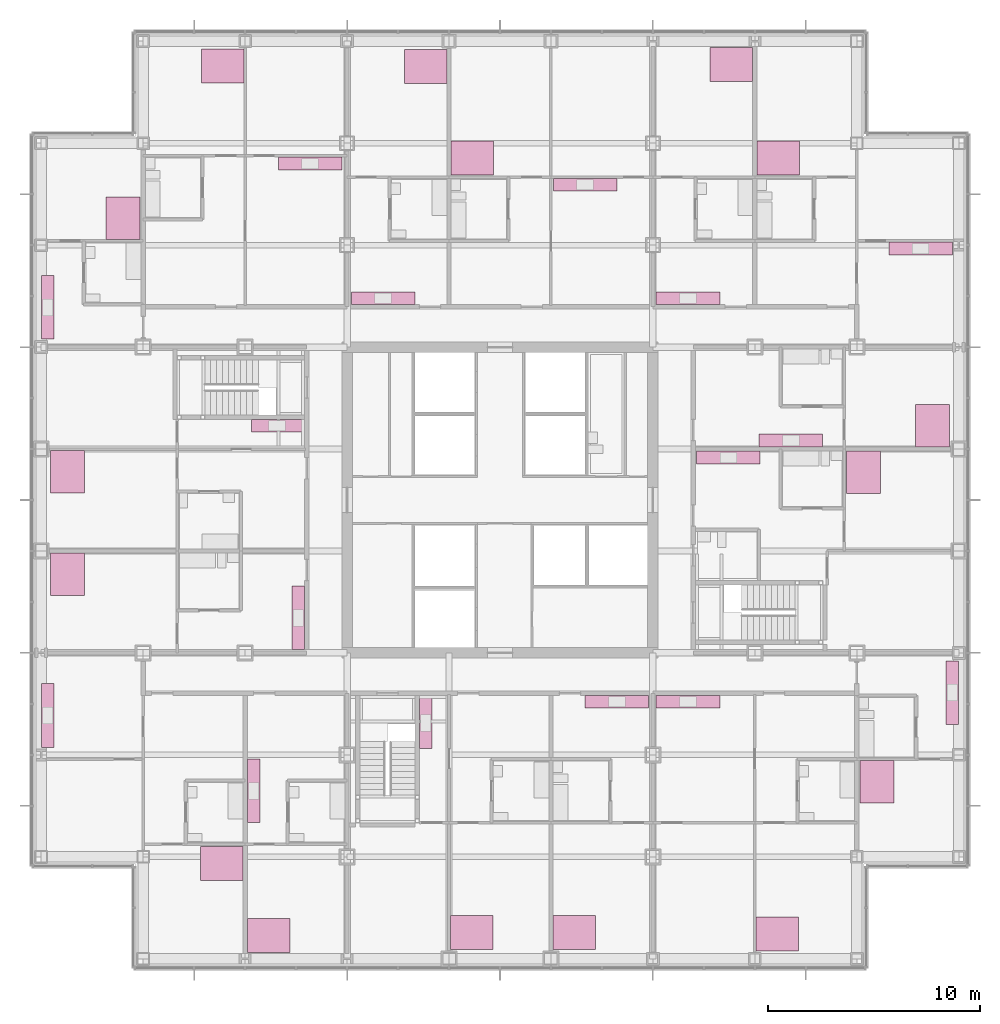
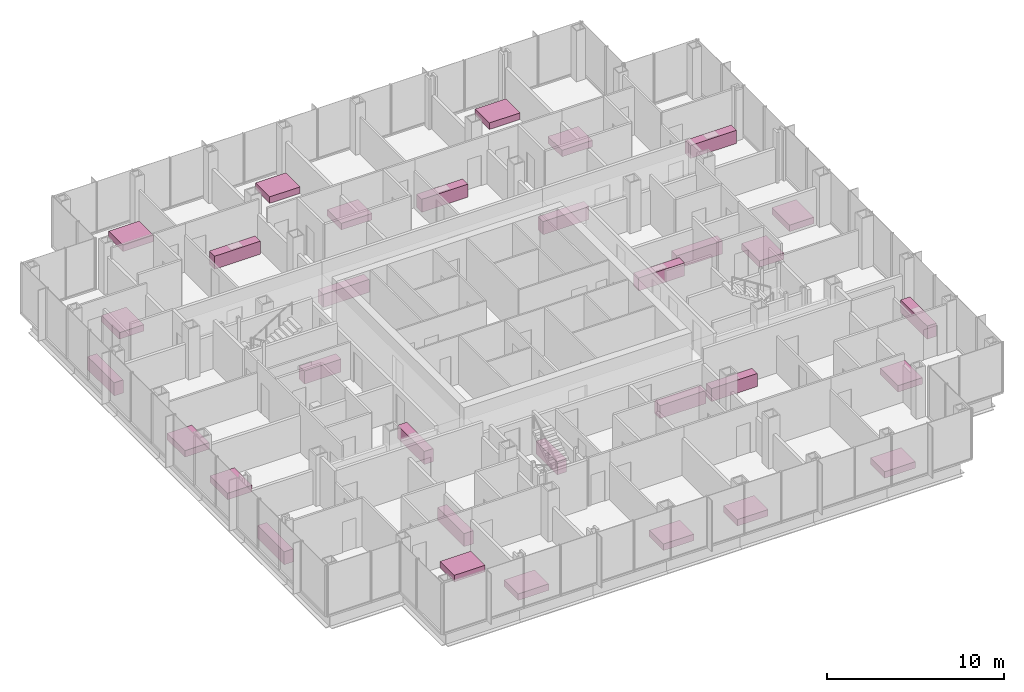
# One storey, part 21 of 21: 32 furniture elements.
"""IFC4 building model written with IfcOpenShell, lengths in metres."""

from ifc_helpers import new_model, si_unit, direction, frame, origin, origin_2d, place, context, subcontext, project, spatial, rectangle, extrude, material, type_object, element, save


model = new_model("IFC4")

# Units and contexts
model_context = context("Model", 3, precision=1e-05, world=origin(), true_north=direction((0.0, 1.0)))
body_context = subcontext(model_context, "Body", "Model", "MODEL_VIEW")
ifc_project = project(units=[si_unit("LENGTHUNIT", "METRE"), si_unit("AREAUNIT", "SQUARE_METRE"), si_unit("VOLUMEUNIT", "CUBIC_METRE"), si_unit("PLANEANGLEUNIT", "RADIAN"), si_unit("MASSUNIT", "GRAM", prefix="KILO")], contexts=[model_context])

# Site, building, storey
site_placement = place(None, origin())
site = spatial("IfcSite", under=ifc_project, at=site_placement, CompositionType="ELEMENT")
building_placement = place(site_placement, origin())
building = spatial("IfcBuilding", under=site, at=building_placement, Name="Kvirike Care Tower", CompositionType="ELEMENT")
storey_placement = place(building_placement, frame((0.0, 0.0, 27.0)))
storey = spatial("IfcBuildingStorey", under=building, at=storey_placement, Name="L06", CompositionType="ELEMENT", Elevation=27.0)

# Furniture
ifc_material_1 = material(Name="Timber", Category="wood")
furniture_type_1 = type_object("IfcFurnitureType", Name="DOUBLE BED 1600 x 2000", AssemblyPlace="FACTORY", PredefinedType="BED", material=ifc_material_1)
for number, where, z_axis, x_axis, name in (
    (1, (8.498046875, 18.889892578125, 0.0), (0.0, 0.0, 1.0), (0.0, -1.0, 0.0), "Double bed L06-003"),
    (2, (10.701904296875, 15.4970703125, 0.0), (0.0, 0.0, 1.0), (0.0, 1.0, 0.0), "Double bed L06-007"),
    (3, (1.2451171875, 37.337890625, 0.0), (0.0, 0.0, 1.0), (1.0, 0.0, 0.0), "Double bed L06-013"),
    (4, (1.2451171875, 32.498046875, 0.0), (0.0, 0.0, 1.0), (1.0, 0.0, 0.0), "Double bed L06-017"),
    (5, (8.5380859375, 56.429931640625, 0.0), (0.0, 0.0, 1.0), (0.0, -1.0, 0.0), "Double bed L06-022"),
    (6, (3.85009765625, 49.261962890625, 0.0), (0.0, 0.0, 1.0), (-1.0, 0.0, 0.0), "Double bed L06-026"),
    (7, (20.261962890625, 15.64501953125, 0.0), (0.0, 0.0, 1.0), (0.0, 1.0, 0.0), "Double bed L06-032"),
    (8, (25.10205078125, 15.64501953125, 0.0), (0.0, 0.0, 1.0), (0.0, 1.0, 0.0), "Double bed L06-036"),
    (9, (20.302001953125, 52.110107421875, 0.0), (0.0, 0.0, 1.0), (0.0, 1.0, 0.0), "Double bed L06-041"),
    (10, (18.097900390625, 56.405029296875, 0.0), (0.0, 0.0, 1.0), (0.0, -1.0, 0.0), "Double bed L06-045"),
    (11, (34.662109375, 15.570068359375, 0.0), (0.0, 0.0, 1.0), (0.0, 1.0, 0.0), "Double bed L06-050"),
    (12, (39.35009765625, 22.738037109375, 0.0), (0.0, 0.0, 1.0), (1.0, 0.0, 0.0), "Double bed L06-054"),
    (13, (38.7099609375, 37.298095703125, 0.0), (0.0, 0.0, 1.0), (1.0, 0.0, 0.0), "Double bed L06-060"),
    (14, (41.955078125, 39.501953125, 0.0), (0.0, 0.0, 1.0), (-1.0, 0.0, 0.0), "Double bed L06-064"),
    (15, (34.701904296875, 52.110107421875, 0.0), (0.0, 0.0, 1.0), (0.0, 1.0, 0.0), "Double bed L06-069"),
    (16, (32.498046875, 56.5029296875, 0.0), (0.0, 0.0, 1.0), (0.0, -1.0, 0.0), "Double bed L06-073"),
):
    element("IfcFurniture", number, at=place(storey_placement, frame(where, z_axis=z_axis, x_axis=x_axis)), inside=storey, type_object=furniture_type_1, Name=name, PredefinedType="BED", context=body_context, shape_type="SweptSolid", body=[
        extrude(rectangle(XDim=1.60009765625, YDim=2.0, at=origin_2d()), origin(), (0.0, 0.0, 1.0), 0.449951171875),
    ])
ifc_material_2 = material(Name="Laminated board", Category="wood")
furniture_type_2 = type_object("IfcFurnitureType", Name="KITCHEN UNIT RUN 600", AssemblyPlace="FACTORY", PredefinedType="USERDEFINED", material=ifc_material_2)
for number, where, z_axis, x_axis, name in (
    (17, (0.302001953125, 25.8544921875, 0.0), (0.0, 0.0, 1.0), (0.0, 1.0, 0.0), "Kitchen unit run L06-005"),
    (18, (10.001953125, 22.31005859375, 0.0), (0.0, 0.0, 1.0), (0.0, 1.0, 0.0), "Kitchen unit run L06-009"),
):
    element("IfcFurniture", number, at=place(storey_placement, frame(where, z_axis=z_axis, x_axis=x_axis)), inside=storey, type_object=furniture_type_2, Name=name, ObjectType="KITCHEN UNIT", PredefinedType="USERDEFINED", context=body_context, shape_type="SweptSolid", body=[
        extrude(rectangle(XDim=3.0, YDim=0.60009765625, at=origin_2d()), origin(), (0.0, 0.0, 1.0), 0.89990234375),
    ])
furniture_1_placement = place(storey_placement, frame((11.10009765625, 39.498046875, 0.0), z_axis=(0.0, 0.0, 1.0), x_axis=(1.0, 0.0, 0.0)))
element("IfcFurniture", 19, at=furniture_1_placement, inside=storey, type_object=furniture_type_2, Name="Kitchen unit run L06-015", ObjectType="KITCHEN UNIT", PredefinedType="USERDEFINED", context=body_context, shape_type="SweptSolid", body=[
    extrude(rectangle(XDim=2.39990234375, YDim=0.60009765625, at=origin_2d()), origin(), (0.0, 0.0, 1.0), 0.89990234375),
])
for number, where, z_axis, x_axis, name in (
    (20, (12.097900390625, 30.449951171875, 0.0), (0.0, 0.0, 1.0), (0.0, -1.0, 0.0), "Kitchen unit run L06-019"),
    (21, (12.659912109375, 51.837890625, 0.0), (0.0, 0.0, 1.0), (1.0, 0.0, 0.0), "Kitchen unit run L06-024"),
    (22, (0.302001953125, 45.070068359375, 0.0), (0.0, 0.0, 1.0), (0.0, 1.0, 0.0), "Kitchen unit run L06-028"),
):
    element("IfcFurniture", number, at=place(storey_placement, frame(where, z_axis=z_axis, x_axis=x_axis)), inside=storey, type_object=furniture_type_2, Name=name, ObjectType="KITCHEN UNIT", PredefinedType="USERDEFINED", context=body_context, shape_type="SweptSolid", body=[
        extrude(rectangle(XDim=3.0, YDim=0.60009765625, at=origin_2d()), origin(), (0.0, 0.0, 1.0), 0.89990234375),
    ])
furniture_2_placement = place(storey_placement, frame((18.10205078125, 25.5, 0.0), z_axis=(0.0, 0.0, 1.0), x_axis=(0.0, 1.0, 0.0)))
element("IfcFurniture", 23, at=furniture_2_placement, inside=storey, type_object=furniture_type_2, Name="Kitchen unit run L06-034", ObjectType="KITCHEN UNIT", PredefinedType="USERDEFINED", context=body_context, shape_type="SweptSolid", body=[
    extrude(rectangle(XDim=2.39990234375, YDim=0.60009765625, at=origin_2d()), origin(), (0.0, 0.0, 1.0), 0.89990234375),
])
for number, where, z_axis, x_axis, name in (
    (24, (27.10009765625, 26.498046875, 0.0), (0.0, 0.0, 1.0), (1.0, 0.0, 0.0), "Kitchen unit run L06-038"),
    (25, (25.610107421875, 50.837890625, 0.0), (0.0, 0.0, 1.0), (1.0, 0.0, 0.0), "Kitchen unit run L06-043"),
    (26, (16.10009765625, 45.501953125, 0.0), (0.0, 0.0, 1.0), (-1.0, 0.0, 0.0), "Kitchen unit run L06-047"),
    (27, (30.449951171875, 26.498046875, 0.0), (0.0, 0.0, 1.0), (1.0, 0.0, 0.0), "Kitchen unit run L06-052"),
    (28, (42.89794921875, 26.929931640625, 0.0), (0.0, 0.0, 1.0), (0.0, -1.0, 0.0), "Kitchen unit run L06-056"),
    (29, (32.35009765625, 37.998046875, 0.0), (0.0, 0.0, 1.0), (1.0, 0.0, 0.0), "Kitchen unit run L06-063"),
    (30, (35.2900390625, 38.802001953125, 0.0), (0.0, 0.0, 1.0), (-1.0, 0.0, 0.0), "Kitchen unit run L06-066"),
    (31, (41.409912109375, 47.837890625, 0.0), (0.0, 0.0, 1.0), (1.0, 0.0, 0.0), "Kitchen unit run L06-071"),
    (32, (30.449951171875, 45.501953125, 0.0), (0.0, 0.0, 1.0), (-1.0, 0.0, 0.0), "Kitchen unit run L06-075"),
):
    element("IfcFurniture", number, at=place(storey_placement, frame(where, z_axis=z_axis, x_axis=x_axis)), inside=storey, type_object=furniture_type_2, Name=name, ObjectType="KITCHEN UNIT", PredefinedType="USERDEFINED", context=body_context, shape_type="SweptSolid", body=[
        extrude(rectangle(XDim=3.0, YDim=0.60009765625, at=origin_2d()), origin(), (0.0, 0.0, 1.0), 0.89990234375),
    ])

save(model, "model.ifc")
